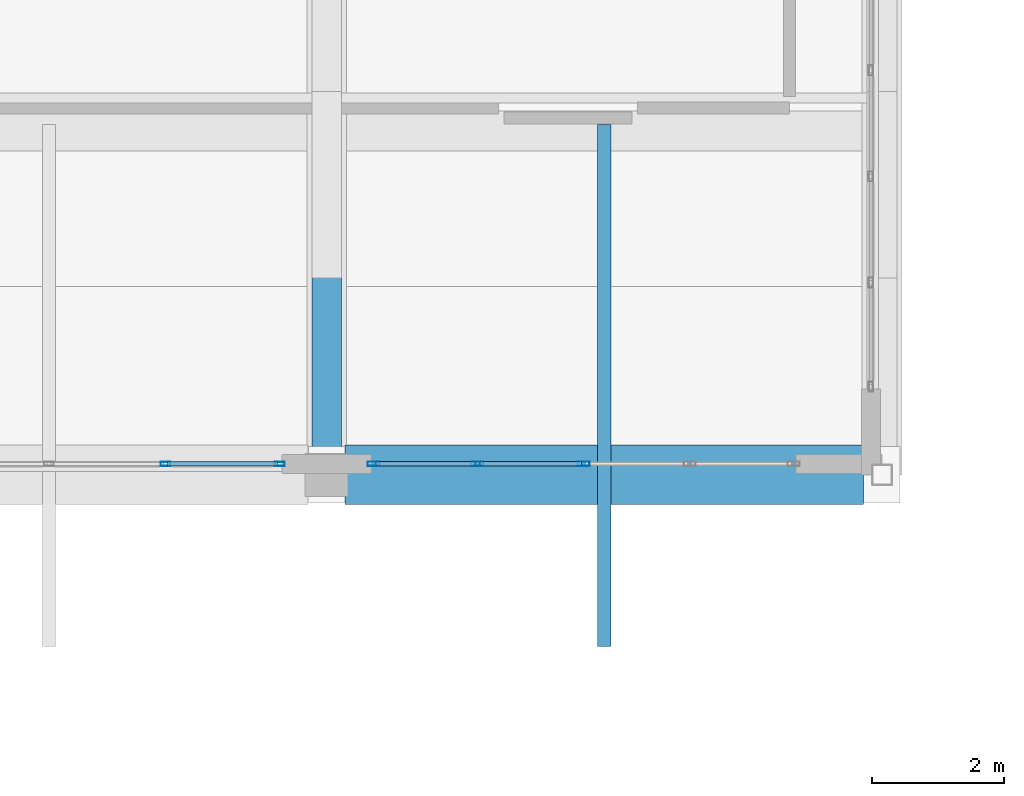
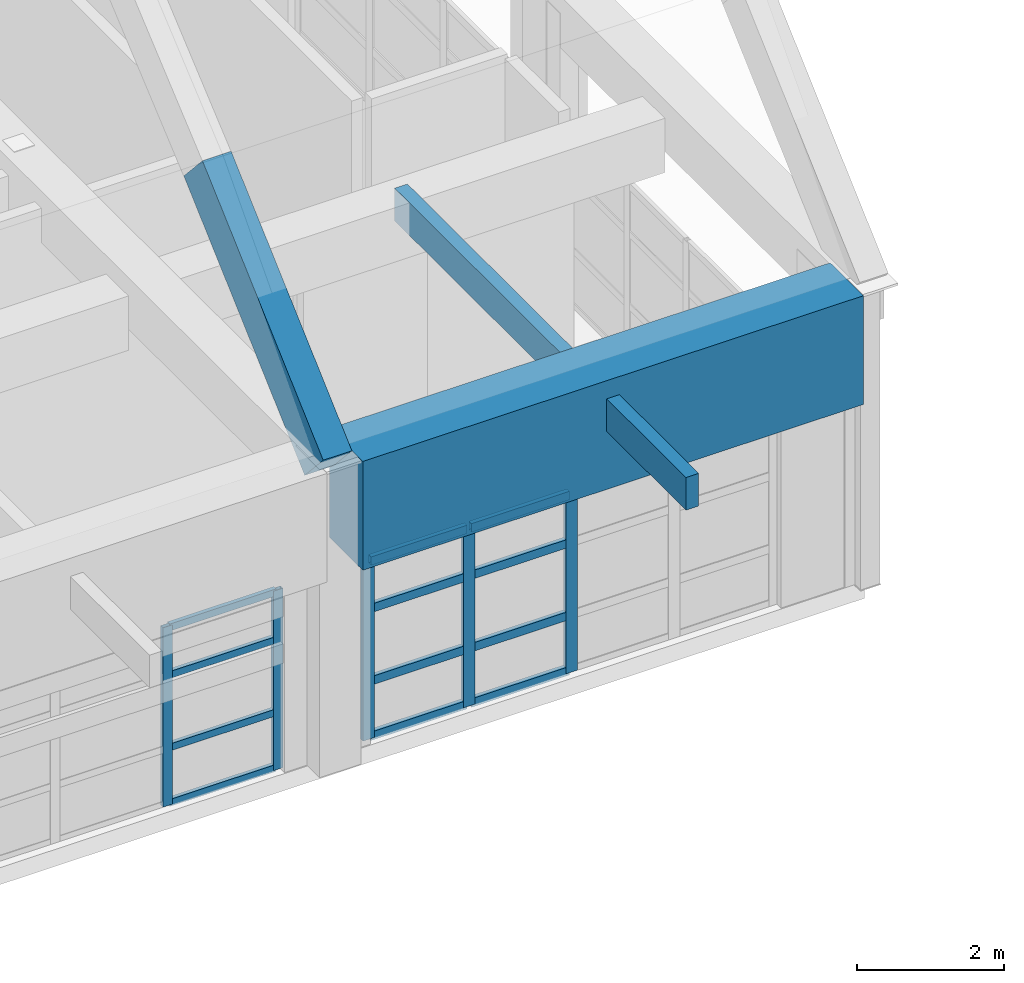
# One storey, part 47 of 103: 18 members, 2 beams, 2 elements without a shape of their own.
"""IFC4 building model written with IfcOpenShell, lengths in metres."""

from ifc_helpers import new_model, si_unit, direction, frame, origin, origin_2d, place, context, subcontext, project, spatial, rectangle, hollow_rectangle, extrude, material, layer, layer_set, material_profile, profile_set, type_object, element, aggregate, save


model = new_model("IFC4")

# Units and contexts
model_context = context("Model", 3, precision=1e-05, world=origin(), true_north=direction((0.0, 1.0)))
body_context = subcontext(model_context, "Body", "Model", "MODEL_VIEW")
ifc_project = project(units=[si_unit("LENGTHUNIT", "METRE"), si_unit("AREAUNIT", "SQUARE_METRE"), si_unit("VOLUMEUNIT", "CUBIC_METRE"), si_unit("PLANEANGLEUNIT", "RADIAN"), si_unit("MASSUNIT", "GRAM", prefix="KILO")], contexts=[model_context])

# Site, building, storey
site_placement = place(None, origin())
site = spatial("IfcSite", under=ifc_project, at=site_placement, CompositionType="ELEMENT")
building_placement = place(site_placement, origin())
building = spatial("IfcBuilding", under=site, at=building_placement, Name="Quendrovan Civic Courthouse", CompositionType="ELEMENT")
storey_placement = place(building_placement, frame((0.0, 0.0, 15.300048828125)))
storey = spatial("IfcBuildingStorey", under=building, at=storey_placement, Name="L04", CompositionType="ELEMENT", Elevation=15.300048828125)

# Beams
ifc_material_1 = material(Name="Concrete C45/55", Category="concrete")
ifc_material_profile_1 = material_profile(ifc_material_1, rectangle(XDim=0.89990234375, YDim=1.800048828125, at=origin_2d()), Name="RC-TG-900x1800")
ifc_profile_set_1 = profile_set([ifc_material_profile_1], Name="Concrete C45/55")
beam_type_1 = type_object("IfcBeamType", Name="BM-TG1800", PredefinedType="BEAM", material=ifc_profile_set_1)
beam_1_placement = place(storey_placement, frame((84.280029296875, 64.800048828125, 4.199951171875), z_axis=(1.0, 0.0, 0.0), x_axis=(0.0, 1.0, 0.0)))
element("IfcBeam", 1, at=beam_1_placement, inside=storey, type_object=beam_type_1, Name="BV2 Springing Collector Girder S-7", PredefinedType="BEAM", context=body_context, shape_type="SweptSolid", body=[
    extrude(rectangle(XDim=0.89990234375, YDim=1.800048828125, at=origin_2d()), origin(), (0.0, 0.0, 1.0), 7.840087890625),
])
ifc_material_2 = material(Name="Concrete C40/50", Category="concrete")
ifc_material_profile_2 = material_profile(ifc_material_2, rectangle(XDim=0.449951171875, YDim=0.75, at=origin_2d()), Name="RC-VRIB-450x750")
ifc_profile_set_2 = profile_set([ifc_material_profile_2], Name="Concrete C40/50")
beam_type_2 = type_object("IfcBeamType", Name="BM-VRIB750", PredefinedType="BEAM", material=ifc_profile_set_2)
beam_2_placement = place(storey_placement, frame((84.0, 64.800048828125, 4.89990234375), z_axis=(0.0, 0.740758632606, 0.671771276716), x_axis=(-1.0, 0.0, 0.0)))
element("IfcBeam", 2, at=beam_2_placement, inside=storey, type_object=beam_type_2, Name="BV2 Concrete Vault Arch Rib A7-C1", PredefinedType="BEAM", context=body_context, shape_type="SweptSolid", body=[
    extrude(rectangle(XDim=0.449951171875, YDim=0.75, at=origin_2d()), origin(), (0.0, 0.0, 1.0), 4.423583984375),
])

# Curtain wall, members
ifc_material_3 = material(Name="Bronze anodised aluminium and low-E glass", Category="aluminium")
ifc_layer_1 = layer(ifc_material_3, 0.179931640625, Name="Bronze anodised aluminium and low-E glass")
ifc_layer_set_1 = layer_set([ifc_layer_1], Name="Bronze anodised aluminium and low-E glass")
curtain_wall_type_1 = type_object("IfcCurtainWallType", Name="CW-U64x30", PredefinedType="USERDEFINED", material=ifc_layer_set_1)
curtain_wall_1_placement = place(storey_placement, origin())
curtain_wall_1 = element("IfcCurtainWall", 3, at=curtain_wall_1_placement, inside=storey, type_object=curtain_wall_type_1, Name="L04 Unitised Hurricane Curtain Wall CW-158", ObjectType="UNITISED CURTAIN WALL", PredefinedType="USERDEFINED")
ifc_material_4 = material(Name="Bronze anodised aluminium", Category="aluminium")
ifc_material_profile_3 = material_profile(ifc_material_4, hollow_rectangle(XDim=0.070068359375, YDim=0.179931640625, WallThickness=0.00390625, at=origin_2d()), Name="CW-MULL-70x180")
ifc_profile_set_3 = profile_set([ifc_material_profile_3], Name="Bronze anodised aluminium")
member_type_1 = type_object("IfcMemberType", Name="CW-MULL-A", PredefinedType="MULLION", material=ifc_profile_set_3)
member_1_placement = place(storey_placement, frame((87.887451171875, 64.965087890625, 0.0), z_axis=(0.0, 0.0, 1.0), x_axis=(0.0, -1.0, 0.0)))
member_1 = element("IfcMember", 4, at=member_1_placement, type_object=member_type_1, Name="CW-158 mullion 3", PredefinedType="MULLION", context=body_context, shape_type="SweptSolid", body=[
    extrude(hollow_rectangle(XDim=0.070068359375, YDim=0.179931640625, WallThickness=0.00390625, at=origin_2d()), origin(), (0.0, 0.0, 1.0), 2.969970703125),
])
member_2_placement = place(storey_placement, frame((86.28125, 64.965087890625, 0.0), z_axis=(0.0, 0.0, 1.0), x_axis=(0.0, -1.0, 0.0)))
member_2 = element("IfcMember", 5, at=member_2_placement, type_object=member_type_1, Name="CW-158 mullion 4", PredefinedType="MULLION", context=body_context, shape_type="SweptSolid", body=[
    extrude(hollow_rectangle(XDim=0.070068359375, YDim=0.179931640625, WallThickness=0.00390625, at=origin_2d()), origin(), (0.0, 0.0, 1.0), 2.969970703125),
])
member_3_placement = place(storey_placement, frame((84.7099609375, 64.965087890625, 0.0), z_axis=(0.0, 0.0, 1.0), x_axis=(0.0, -1.0, 0.0)))
member_3 = element("IfcMember", 6, at=member_3_placement, type_object=member_type_1, Name="CW-158 mullion 5", PredefinedType="MULLION", context=body_context, shape_type="SweptSolid", body=[
    extrude(hollow_rectangle(XDim=0.070068359375, YDim=0.179931640625, WallThickness=0.00390625, at=origin_2d()), origin(), (0.0, 0.0, 1.0), 2.969970703125),
])

ifc_layer_2 = layer(ifc_material_3, 0.179931640625, Name="Bronze anodised aluminium and low-E glass")
ifc_layer_set_2 = layer_set([ifc_layer_2], Name="Bronze anodised aluminium and low-E glass")
curtain_wall_type_2 = type_object("IfcCurtainWallType", Name="CW-U70x30", PredefinedType="USERDEFINED", material=ifc_layer_set_2)
curtain_wall_2_placement = place(storey_placement, origin())
curtain_wall_2 = element("IfcCurtainWall", 7, at=curtain_wall_2_placement, inside=storey, type_object=curtain_wall_type_2, Name="L04 Unitised Hurricane Curtain Wall CW-159", ObjectType="UNITISED CURTAIN WALL", PredefinedType="USERDEFINED")
ifc_material_profile_4 = material_profile(ifc_material_4, hollow_rectangle(XDim=0.06494140625, YDim=0.14990234375, WallThickness=0.00390625, at=origin_2d()), Name="CW-MULL-65x150")
ifc_profile_set_4 = profile_set([ifc_material_profile_4], Name="Bronze anodised aluminium")
member_type_2 = type_object("IfcMemberType", Name="CW-MULL-B", PredefinedType="MULLION", material=ifc_profile_set_4)
member_4_placement = place(storey_placement, frame((83.29248046875, 64.965087890625, 0.0), z_axis=(0.0, 0.0, 1.0), x_axis=(0.0, -1.0, 0.0)))
member_4 = element("IfcMember", 8, at=member_4_placement, type_object=member_type_2, Name="CW-159 mullion 1", PredefinedType="MULLION", context=body_context, shape_type="SweptSolid", body=[
    extrude(hollow_rectangle(XDim=0.06494140625, YDim=0.14990234375, WallThickness=0.00390625, at=origin_2d()), origin(), (0.0, 0.0, 1.0), 2.969970703125),
])
member_5_placement = place(storey_placement, frame((81.5625, 64.965087890625, 0.0), z_axis=(0.0, 0.0, 1.0), x_axis=(0.0, -1.0, 0.0)))
member_5 = element("IfcMember", 9, at=member_5_placement, type_object=member_type_2, Name="CW-159 mullion 2", PredefinedType="MULLION", context=body_context, shape_type="SweptSolid", body=[
    extrude(hollow_rectangle(XDim=0.06494140625, YDim=0.14990234375, WallThickness=0.00390625, at=origin_2d()), origin(), (0.0, 0.0, 1.0), 2.969970703125),
])

# Member
ifc_material_profile_5 = material_profile(ifc_material_4, hollow_rectangle(XDim=0.070068359375, YDim=0.139892578125, WallThickness=0.00390625, at=origin_2d()), Name="CW-TRAN-70x140")
ifc_profile_set_5 = profile_set([ifc_material_profile_5], Name="Bronze anodised aluminium")
member_type_3 = type_object("IfcMemberType", Name="CW-TRAN-A", PredefinedType="USERDEFINED", material=ifc_profile_set_5)
member_6_placement = place(storey_placement, frame((87.8525390625, 64.965087890625, 0.034912109375), z_axis=(-1.0, 0.0, 0.0), x_axis=(0.0, -1.0, 0.0)))
member_6 = element("IfcMember", 10, at=member_6_placement, type_object=member_type_3, Name="CW-158 transom 3.1", ObjectType="TRANSOM", PredefinedType="USERDEFINED", context=body_context, shape_type="SweptSolid", body=[
    extrude(hollow_rectangle(XDim=0.070068359375, YDim=0.139892578125, WallThickness=0.00390625, at=origin_2d()), origin(), (0.0, 0.0, 1.0), 1.536376953125),
])

member_7_placement = place(storey_placement, frame((87.8525390625, 64.965087890625, 0.949951171875), z_axis=(-1.0, 0.0, 0.0), x_axis=(0.0, -1.0, 0.0)))
member_7 = element("IfcMember", 11, at=member_7_placement, type_object=member_type_3, Name="CW-158 transom 3.2", ObjectType="TRANSOM", PredefinedType="USERDEFINED", context=body_context, shape_type="SweptSolid", body=[
    extrude(hollow_rectangle(XDim=0.070068359375, YDim=0.139892578125, WallThickness=0.00390625, at=origin_2d()), origin(), (0.0, 0.0, 1.0), 1.536376953125),
])

member_8_placement = place(storey_placement, frame((87.8525390625, 64.965087890625, 2.14990234375), z_axis=(-1.0, 0.0, 0.0), x_axis=(0.0, -1.0, 0.0)))
member_8 = element("IfcMember", 12, at=member_8_placement, type_object=member_type_3, Name="CW-158 transom 3.3", ObjectType="TRANSOM", PredefinedType="USERDEFINED", context=body_context, shape_type="SweptSolid", body=[
    extrude(hollow_rectangle(XDim=0.070068359375, YDim=0.139892578125, WallThickness=0.00390625, at=origin_2d()), origin(), (0.0, 0.0, 1.0), 1.536376953125),
])

member_9_placement = place(storey_placement, frame((87.8525390625, 64.965087890625, 2.93505859375), z_axis=(-1.0, 0.0, 0.0), x_axis=(0.0, -1.0, 0.0)))
member_9 = element("IfcMember", 13, at=member_9_placement, type_object=member_type_3, Name="CW-158 transom 3.4", ObjectType="TRANSOM", PredefinedType="USERDEFINED", context=body_context, shape_type="SweptSolid", body=[
    extrude(hollow_rectangle(XDim=0.070068359375, YDim=0.139892578125, WallThickness=0.00390625, at=origin_2d()), origin(), (0.0, 0.0, 1.0), 1.536376953125),
])

member_10_placement = place(storey_placement, frame((86.246337890625, 64.965087890625, 0.034912109375), z_axis=(-1.0, 0.0, 0.0), x_axis=(0.0, -1.0, 0.0)))
member_10 = element("IfcMember", 14, at=member_10_placement, type_object=member_type_3, Name="CW-158 transom 4.1", ObjectType="TRANSOM", PredefinedType="USERDEFINED", context=body_context, shape_type="SweptSolid", body=[
    extrude(hollow_rectangle(XDim=0.070068359375, YDim=0.139892578125, WallThickness=0.00390625, at=origin_2d()), origin(), (0.0, 0.0, 1.0), 1.501220703125),
])

member_11_placement = place(storey_placement, frame((86.246337890625, 64.965087890625, 0.949951171875), z_axis=(-1.0, 0.0, 0.0), x_axis=(0.0, -1.0, 0.0)))
member_11 = element("IfcMember", 15, at=member_11_placement, type_object=member_type_3, Name="CW-158 transom 4.2", ObjectType="TRANSOM", PredefinedType="USERDEFINED", context=body_context, shape_type="SweptSolid", body=[
    extrude(hollow_rectangle(XDim=0.070068359375, YDim=0.139892578125, WallThickness=0.00390625, at=origin_2d()), origin(), (0.0, 0.0, 1.0), 1.501220703125),
])

member_12_placement = place(storey_placement, frame((86.246337890625, 64.965087890625, 2.14990234375), z_axis=(-1.0, 0.0, 0.0), x_axis=(0.0, -1.0, 0.0)))
member_12 = element("IfcMember", 16, at=member_12_placement, type_object=member_type_3, Name="CW-158 transom 4.3", ObjectType="TRANSOM", PredefinedType="USERDEFINED", context=body_context, shape_type="SweptSolid", body=[
    extrude(hollow_rectangle(XDim=0.070068359375, YDim=0.139892578125, WallThickness=0.00390625, at=origin_2d()), origin(), (0.0, 0.0, 1.0), 1.501220703125),
])

member_13_placement = place(storey_placement, frame((86.246337890625, 64.965087890625, 2.93505859375), z_axis=(-1.0, 0.0, 0.0), x_axis=(0.0, -1.0, 0.0)))
member_13 = element("IfcMember", 17, at=member_13_placement, type_object=member_type_3, Name="CW-158 transom 4.4", ObjectType="TRANSOM", PredefinedType="USERDEFINED", context=body_context, shape_type="SweptSolid", body=[
    extrude(hollow_rectangle(XDim=0.070068359375, YDim=0.139892578125, WallThickness=0.00390625, at=origin_2d()), origin(), (0.0, 0.0, 1.0), 1.501220703125),
])

aggregate(curtain_wall_1, [member_1, member_2, member_3, member_6, member_7, member_8, member_9, member_10, member_11, member_12, member_13])

ifc_material_profile_6 = material_profile(ifc_material_4, hollow_rectangle(XDim=0.06494140625, YDim=0.114990234375, WallThickness=0.00390625, at=origin_2d()), Name="CW-TRAN-65x115")
ifc_profile_set_6 = profile_set([ifc_material_profile_6], Name="Bronze anodised aluminium")
member_type_4 = type_object("IfcMemberType", Name="CW-TRAN-B", PredefinedType="USERDEFINED", material=ifc_profile_set_6)
member_14_placement = place(storey_placement, frame((83.260009765625, 64.965087890625, 0.032470703125), z_axis=(-1.0, 0.0, 0.0), x_axis=(0.0, -1.0, 0.0)))
member_14 = element("IfcMember", 18, at=member_14_placement, type_object=member_type_4, Name="CW-159 transom 1.1", ObjectType="TRANSOM", PredefinedType="USERDEFINED", context=body_context, shape_type="SweptSolid", body=[
    extrude(hollow_rectangle(XDim=0.06494140625, YDim=0.114990234375, WallThickness=0.00390625, at=origin_2d()), origin(), (0.0, 0.0, 1.0), 1.6650390625),
])

member_15_placement = place(storey_placement, frame((83.260009765625, 64.965087890625, 0.949951171875), z_axis=(-1.0, 0.0, 0.0), x_axis=(0.0, -1.0, 0.0)))
member_15 = element("IfcMember", 19, at=member_15_placement, type_object=member_type_4, Name="CW-159 transom 1.2", ObjectType="TRANSOM", PredefinedType="USERDEFINED", context=body_context, shape_type="SweptSolid", body=[
    extrude(hollow_rectangle(XDim=0.06494140625, YDim=0.114990234375, WallThickness=0.00390625, at=origin_2d()), origin(), (0.0, 0.0, 1.0), 1.6650390625),
])

member_16_placement = place(storey_placement, frame((83.260009765625, 64.965087890625, 2.14990234375), z_axis=(-1.0, 0.0, 0.0), x_axis=(0.0, -1.0, 0.0)))
member_16 = element("IfcMember", 20, at=member_16_placement, type_object=member_type_4, Name="CW-159 transom 1.3", ObjectType="TRANSOM", PredefinedType="USERDEFINED", context=body_context, shape_type="SweptSolid", body=[
    extrude(hollow_rectangle(XDim=0.06494140625, YDim=0.114990234375, WallThickness=0.00390625, at=origin_2d()), origin(), (0.0, 0.0, 1.0), 1.6650390625),
])

member_17_placement = place(storey_placement, frame((83.260009765625, 64.965087890625, 2.9375), z_axis=(-1.0, 0.0, 0.0), x_axis=(0.0, -1.0, 0.0)))
member_17 = element("IfcMember", 21, at=member_17_placement, type_object=member_type_4, Name="CW-159 transom 1.4", ObjectType="TRANSOM", PredefinedType="USERDEFINED", context=body_context, shape_type="SweptSolid", body=[
    extrude(hollow_rectangle(XDim=0.06494140625, YDim=0.114990234375, WallThickness=0.00390625, at=origin_2d()), origin(), (0.0, 0.0, 1.0), 1.6650390625),
])

aggregate(curtain_wall_2, [member_4, member_5, member_14, member_15, member_16, member_17])

ifc_material_5 = material(Name="Western Red Cedar Glulam GL28h", Category="wood")
ifc_material_profile_7 = material_profile(ifc_material_5, rectangle(XDim=0.199951171875, YDim=0.5400390625, at=origin_2d()), Name="GL28H-200x540")
ifc_profile_set_7 = profile_set([ifc_material_profile_7], Name="Western Red Cedar Glulam GL28h")
member_type_5 = type_object("IfcMemberType", Name="MEM-PUR-GL540", PredefinedType="PURLIN", material=ifc_profile_set_7)
member_18_placement = place(storey_placement, frame((88.199951171875, 62.199951171875, 4.530029296875), z_axis=(0.0, 1.0, 0.0), x_axis=(-1.0, 0.0, 0.0)))
element("IfcMember", 22, at=member_18_placement, inside=storey, type_object=member_type_5, Name="BV2 Cedar Glulam South Hurricane Eave Outrigger B7", PredefinedType="PURLIN", context=body_context, shape_type="SweptSolid", body=[
    extrude(rectangle(XDim=0.199951171875, YDim=0.5400390625, at=origin_2d()), origin(), (0.0, 0.0, 1.0), 7.900146484375),
])

save(model, "model.ifc")
